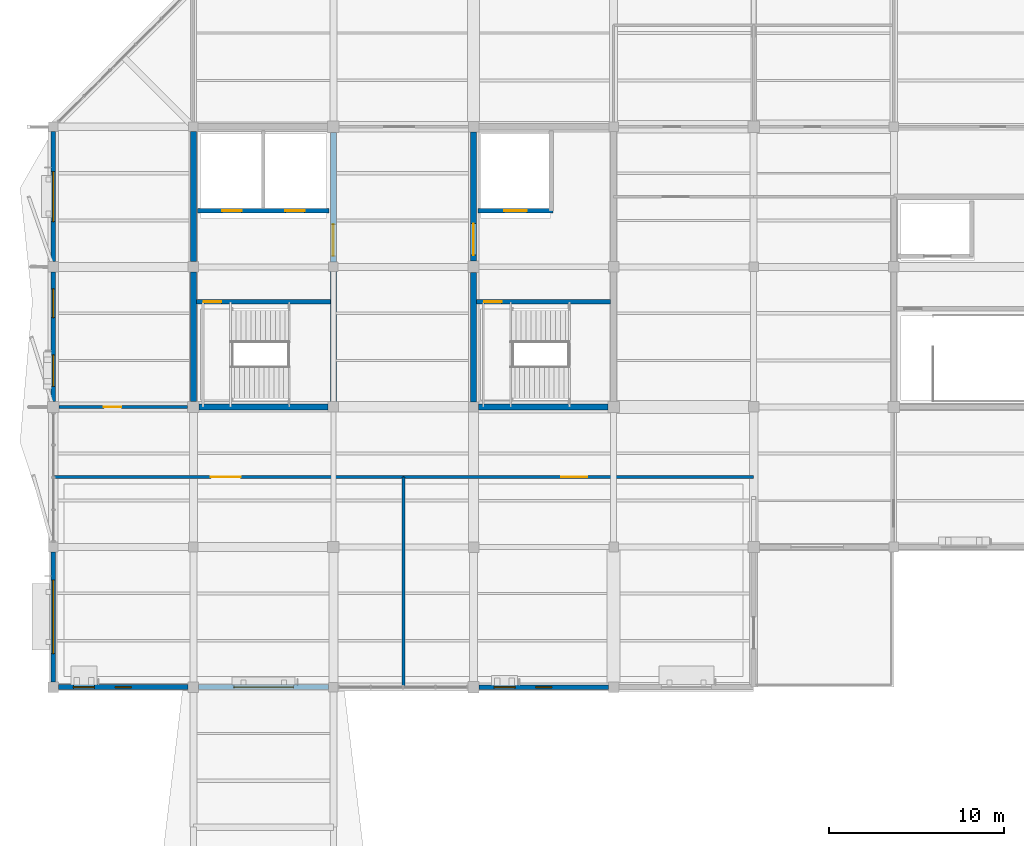
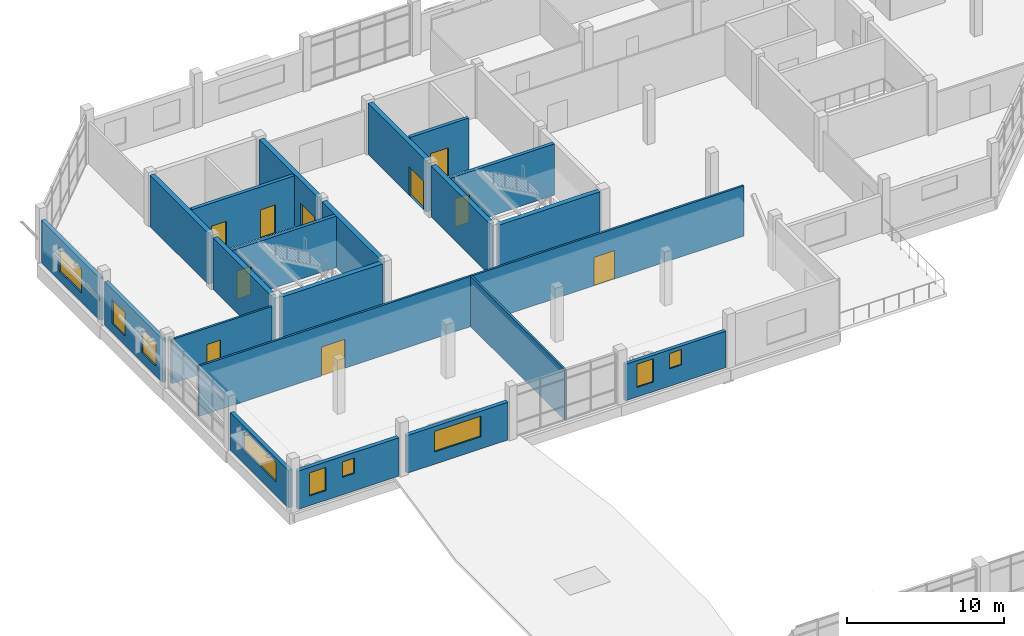
# One storey, part 64 of 72: 22 walls, 10 doors, 9 windows, 19 openings.
"""IFC4 building model written with IfcOpenShell, lengths in metres."""

from ifc_helpers import new_model, si_unit, direction, frame, frame_2d, origin, place, context, subcontext, project, spatial, rectangle, extrude, material, layer, layer_set, type_object, element, fill, save


model = new_model("IFC4")

# Units and contexts
model_context = context("Model", 3, precision=1e-05, world=origin(), true_north=direction((0.0, 1.0)))
body_context = subcontext(model_context, "Body", "Model", "MODEL_VIEW")
ifc_project = project(units=[si_unit("LENGTHUNIT", "METRE"), si_unit("AREAUNIT", "SQUARE_METRE"), si_unit("VOLUMEUNIT", "CUBIC_METRE"), si_unit("PLANEANGLEUNIT", "RADIAN"), si_unit("MASSUNIT", "GRAM", prefix="KILO")], contexts=[model_context])

# Site, building, storey
site_placement = place(None, origin())
site = spatial("IfcSite", under=ifc_project, at=site_placement, CompositionType="ELEMENT")
building_placement = place(site_placement, origin())
building = spatial("IfcBuilding", under=site, at=building_placement, Name="Tenunan Teduh Sports Hall", CompositionType="ELEMENT")
storey_placement = place(building_placement, frame((0.0, 0.0, 15.0)))
storey = spatial("IfcBuildingStorey", under=building, at=storey_placement, Name="L03", CompositionType="ELEMENT", Elevation=15.0)

# Wall, opening, door
ifc_material_1 = material(Name="Concrete C40/50", Category="concrete")
ifc_layer_1 = layer(ifc_material_1, 0.25)
ifc_layer_set_1 = layer_set([ifc_layer_1], Name="Concrete C40/50")
wall_type_1 = type_object("IfcWallType", Name="WL-COR-250", PredefinedType="SOLIDWALL", material=ifc_layer_set_1)
wall_1_placement = place(storey_placement, frame((14.175048828125, 100.0, 0.0), z_axis=(0.0, 0.0, 1.0), x_axis=(1.0, 0.0, 0.0)))
wall_1 = element("IfcWall", 1, at=wall_1_placement, inside=storey, type_object=wall_type_1, Name="WL-COR-L03-043", PredefinedType="SOLIDWALL", context=body_context, shape_type="SweptSolid", body=[
    extrude(rectangle(XDim=7.64990234375, YDim=0.25, at=frame_2d((3.824951171875, 0.0))), origin(), (0.0, 0.0, 1.0), 3.97998046875),
])
opening_1_placement = place(wall_1_placement, frame((0.425048828125, 0.0, 0.0)))
opening_1 = element("IfcOpeningElement", 2, at=opening_1_placement, cuts=wall_1, Name="Opening FD-01", PredefinedType="OPENING", context=body_context, shape_type="SweptSolid", body=[
    extrude(rectangle(XDim=1.0, YDim=2.199951171875, at=frame_2d((0.5, 1.10009765625))), frame((0.0, 0.135009765625, 0.0), z_axis=(0.0, -1.0, 0.0), x_axis=(1.0, 0.0, 0.0)), (0.0, 0.0, 1.0), 0.27001953125),
])
ifc_material_2 = material(Name="Fire-rated steel leaf and frame", Category="steel")
door_type_1 = type_object("IfcDoorType", Name="FDR-01", OperationType="SINGLE_SWING_LEFT", PredefinedType="DOOR", material=ifc_material_2)
door_1_placement = place(opening_1_placement, frame((1.0, 0.0, 0.0), z_axis=(0.0, 0.0, 1.0), x_axis=(-1.0, 0.0, 0.0)))
door_1 = element("IfcDoor", 3, at=door_1_placement, inside=storey, type_object=door_type_1, Name="DR-INT-L03-018", OperationType="SINGLE_SWING_LEFT", OverallHeight=2.199951171875, OverallWidth=1.0, PredefinedType="DOOR", context=body_context, shape_type="SweptSolid", body=[
    extrude(rectangle(XDim=1.0, YDim=2.199951171875, at=frame_2d((0.5, 1.10009765625))), frame((0.0, 0.02490234375, 0.0), z_axis=(0.0, -1.0, 0.0), x_axis=(1.0, 0.0, 0.0)), (0.0, 0.0, 1.0), 0.050048828125),
])
fill(opening_1, door_1)

# Wall, openings, doors
wall_2_placement = place(storey_placement, frame((14.25, 105.199951171875, 0.0), z_axis=(0.0, 0.0, 1.0), x_axis=(1.0, 0.0, 0.0)))
wall_2 = element("IfcWall", 4, at=wall_2_placement, inside=storey, type_object=wall_type_1, Name="WL-COR-L03-044", PredefinedType="SOLIDWALL", context=body_context, shape_type="SweptSolid", body=[
    extrude(rectangle(XDim=7.5, YDim=0.25, at=frame_2d((3.75, 0.0))), origin(), (0.0, 0.0, 1.0), 3.97998046875),
])
opening_2_placement = place(wall_2_placement, frame((1.39990234375, 0.0, 0.0)))
opening_2 = element("IfcOpeningElement", 5, at=opening_2_placement, cuts=wall_2, Name="Opening LD-1", PredefinedType="OPENING", context=body_context, shape_type="SweptSolid", body=[
    extrude(rectangle(XDim=1.10009765625, YDim=2.199951171875, at=frame_2d((0.550048828125, 1.10009765625))), frame((0.0, 0.135009765625, 0.0), z_axis=(0.0, -1.0, 0.0), x_axis=(1.0, 0.0, 0.0)), (0.0, 0.0, 1.0), 0.27001953125),
])
opening_3_placement = place(wall_2_placement, frame((5.0, 0.0, 0.0)))
opening_3 = element("IfcOpeningElement", 6, at=opening_3_placement, cuts=wall_2, Name="Opening LD-1", PredefinedType="OPENING", context=body_context, shape_type="SweptSolid", body=[
    extrude(rectangle(XDim=1.10009765625, YDim=2.199951171875, at=frame_2d((0.550048828125, 1.10009765625))), frame((0.0, 0.135009765625, 0.0), z_axis=(0.0, -1.0, 0.0), x_axis=(1.0, 0.0, 0.0)), (0.0, 0.0, 1.0), 0.27001953125),
])
ifc_material_3 = material(Name="Brushed stainless steel landing doors", Category="steel")
door_type_2 = type_object("IfcDoorType", Name="LDR-01", OperationType="DOUBLE_DOOR_SLIDING", PredefinedType="DOOR", material=ifc_material_3)
door_2_placement = place(opening_2_placement, origin())
door_2 = element("IfcDoor", 7, at=door_2_placement, inside=storey, type_object=door_type_2, Name="Lift Landing Door LD-09", OperationType="DOUBLE_DOOR_SLIDING", OverallHeight=2.199951171875, OverallWidth=1.10009765625, PredefinedType="DOOR", context=body_context, shape_type="SweptSolid", body=[
    extrude(rectangle(XDim=1.10009765625, YDim=2.199951171875, at=frame_2d((0.550048828125, 1.10009765625))), frame((0.0, 0.02490234375, 0.0), z_axis=(0.0, -1.0, 0.0), x_axis=(1.0, 0.0, 0.0)), (0.0, 0.0, 1.0), 0.050048828125),
])
fill(opening_2, door_2)
door_3_placement = place(opening_3_placement, origin())
door_3 = element("IfcDoor", 8, at=door_3_placement, inside=storey, type_object=door_type_2, Name="Lift Landing Door LD-10", OperationType="DOUBLE_DOOR_SLIDING", OverallHeight=2.199951171875, OverallWidth=1.10009765625, PredefinedType="DOOR", context=body_context, shape_type="SweptSolid", body=[
    extrude(rectangle(XDim=1.10009765625, YDim=2.199951171875, at=frame_2d((0.550048828125, 1.10009765625))), frame((0.0, 0.02490234375, 0.0), z_axis=(0.0, -1.0, 0.0), x_axis=(1.0, 0.0, 0.0)), (0.0, 0.0, 1.0), 0.050048828125),
])
fill(opening_3, door_3)

# Wall, opening, door
wall_3_placement = place(storey_placement, frame((30.175048828125, 100.0, 0.0), z_axis=(0.0, 0.0, 1.0), x_axis=(1.0, 0.0, 0.0)))
wall_3 = element("IfcWall", 9, at=wall_3_placement, inside=storey, type_object=wall_type_1, Name="WL-COR-L03-097", PredefinedType="SOLIDWALL", context=body_context, shape_type="SweptSolid", body=[
    extrude(rectangle(XDim=7.64990234375, YDim=0.25, at=frame_2d((3.824951171875, 0.0))), origin(), (0.0, 0.0, 1.0), 3.97998046875),
])
opening_4_placement = place(wall_3_placement, frame((0.425048828125, 0.0, 0.0)))
opening_4 = element("IfcOpeningElement", 10, at=opening_4_placement, cuts=wall_3, Name="Opening FD-01", PredefinedType="OPENING", context=body_context, shape_type="SweptSolid", body=[
    extrude(rectangle(XDim=1.0, YDim=2.199951171875, at=frame_2d((0.5, 1.10009765625))), frame((0.0, 0.135009765625, 0.0), z_axis=(0.0, -1.0, 0.0), x_axis=(1.0, 0.0, 0.0)), (0.0, 0.0, 1.0), 0.27001953125),
])
door_4_placement = place(opening_4_placement, frame((1.0, 0.0, 0.0), z_axis=(0.0, 0.0, 1.0), x_axis=(-1.0, 0.0, 0.0)))
door_4 = element("IfcDoor", 11, at=door_4_placement, inside=storey, type_object=door_type_1, Name="DR-INT-L03-038", OperationType="SINGLE_SWING_LEFT", OverallHeight=2.199951171875, OverallWidth=1.0, PredefinedType="DOOR", context=body_context, shape_type="SweptSolid", body=[
    extrude(rectangle(XDim=1.0, YDim=2.199951171875, at=frame_2d((0.5, 1.10009765625))), frame((0.0, 0.02490234375, 0.0), z_axis=(0.0, -1.0, 0.0), x_axis=(1.0, 0.0, 0.0)), (0.0, 0.0, 1.0), 0.050048828125),
])
fill(opening_4, door_4)

wall_4_placement = place(storey_placement, frame((30.25, 105.199951171875, 0.0), z_axis=(0.0, 0.0, 1.0), x_axis=(1.0, 0.0, 0.0)))
wall_4 = element("IfcWall", 12, at=wall_4_placement, inside=storey, type_object=wall_type_1, Name="WL-COR-L03-098", PredefinedType="SOLIDWALL", context=body_context, shape_type="SweptSolid", body=[
    extrude(rectangle(XDim=4.300048828125, YDim=0.25, at=frame_2d((2.14990234375, 0.0))), origin(), (0.0, 0.0, 1.0), 3.97998046875),
])
opening_5_placement = place(wall_4_placement, frame((1.5, 0.0, 0.0)))
opening_5 = element("IfcOpeningElement", 13, at=opening_5_placement, cuts=wall_4, Name="Opening LD-2", PredefinedType="OPENING", context=body_context, shape_type="SweptSolid", body=[
    extrude(rectangle(XDim=1.300048828125, YDim=2.199951171875, at=frame_2d((0.64990234375, 1.10009765625))), frame((0.0, 0.135009765625, 0.0), z_axis=(0.0, -1.0, 0.0), x_axis=(1.0, 0.0, 0.0)), (0.0, 0.0, 1.0), 0.27001953125),
])
ifc_material_4 = material(Name="Fire-fighting lift stainless landing doors")
door_type_3 = type_object("IfcDoorType", Name="LDR-02", OperationType="DOUBLE_DOOR_SLIDING", PredefinedType="DOOR", material=ifc_material_4)
door_5_placement = place(opening_5_placement, origin())
door_5 = element("IfcDoor", 14, at=door_5_placement, inside=storey, type_object=door_type_3, Name="Lift Landing Door LD-17", OperationType="DOUBLE_DOOR_SLIDING", OverallHeight=2.199951171875, OverallWidth=1.300048828125, PredefinedType="DOOR", context=body_context, shape_type="SweptSolid", body=[
    extrude(rectangle(XDim=1.300048828125, YDim=2.199951171875, at=frame_2d((0.64990234375, 1.10009765625))), frame((0.0, 0.02490234375, 0.0), z_axis=(0.0, -1.0, 0.0), x_axis=(1.0, 0.0, 0.0)), (0.0, 0.0, 1.0), 0.050048828125),
])
fill(opening_5, door_5)

# Wall, openings, windows
ifc_material_5 = material(Name="Precast concrete C40/50", Category="concrete")
ifc_layer_2 = layer(ifc_material_5, 0.25)
ifc_layer_set_2 = layer_set([ifc_layer_2], Name="Precast concrete C40/50")
wall_type_2 = type_object("IfcWallType", Name="WL-EXT-250", PredefinedType="SOLIDWALL", material=ifc_layer_set_2)
wall_5_placement = place(storey_placement, frame((30.324951171875, 78.0, 0.0), z_axis=(0.0, 0.0, 1.0), x_axis=(1.0, 0.0, 0.0)))
wall_5 = element("IfcWall", 15, at=wall_5_placement, inside=storey, type_object=wall_type_2, Name="WL-EXT-L03-196", PredefinedType="SOLIDWALL", context=body_context, shape_type="SweptSolid", body=[
    extrude(rectangle(XDim=7.375, YDim=0.25, at=frame_2d((3.6875, 0.0))), origin(), (0.0, 0.0, 1.0), 2.830078125),
])
opening_6_placement = place(wall_5_placement, frame((0.85009765625, 0.0, 0.75)))
opening_6 = element("IfcOpeningElement", 16, at=opening_6_placement, cuts=wall_5, Name="Opening W-01", PredefinedType="OPENING", context=body_context, shape_type="SweptSolid", body=[
    extrude(rectangle(XDim=1.199951171875, YDim=1.800048828125, at=frame_2d((0.60009765625, 0.89990234375))), frame((0.0, 0.135009765625, 0.0), z_axis=(0.0, -1.0, 0.0), x_axis=(1.0, 0.0, 0.0)), (0.0, 0.0, 1.0), 0.27001953125),
])
opening_7_placement = place(wall_5_placement, frame((3.239990234375, 0.0, 1.35009765625)))
opening_7 = element("IfcOpeningElement", 17, at=opening_7_placement, cuts=wall_5, Name="Opening W-08", PredefinedType="OPENING", context=body_context, shape_type="SweptSolid", body=[
    extrude(rectangle(XDim=0.89990234375, YDim=1.199951171875, at=frame_2d((0.449951171875, 0.60009765625))), frame((0.0, 0.135009765625, 0.0), z_axis=(0.0, -1.0, 0.0), x_axis=(1.0, 0.0, 0.0)), (0.0, 0.0, 1.0), 0.27001953125),
])
ifc_material_6 = material(Name="Thermally broken aluminium and Low-E glazing", Category="aluminium")
window_type_1 = type_object("IfcWindowType", Name="WIN-01", PartitioningType="SINGLE_PANEL", PredefinedType="WINDOW", material=ifc_material_6)
window_1_placement = place(opening_6_placement, origin())
window_1 = element("IfcWindow", 18, at=window_1_placement, inside=storey, type_object=window_type_1, Name="WIN-L03-093", OverallHeight=1.800048828125, OverallWidth=1.199951171875, PartitioningType="SINGLE_PANEL", PredefinedType="WINDOW", context=body_context, shape_type="SweptSolid", body=[
    extrude(rectangle(XDim=1.199951171875, YDim=1.800048828125, at=frame_2d((0.60009765625, 0.89990234375))), frame((0.0, 0.030029296875, 0.0), z_axis=(0.0, -1.0, 0.0), x_axis=(1.0, 0.0, 0.0)), (0.0, 0.0, 1.0), 0.06005859375),
])
fill(opening_6, window_1)
ifc_material_7 = material(Name="Thermally broken aluminium and Low-E glazing", Category="aluminium")
window_type_2 = type_object("IfcWindowType", Name="WIN-08", PartitioningType="SINGLE_PANEL", PredefinedType="WINDOW", material=ifc_material_7)
window_2_placement = place(opening_7_placement, origin())
window_2 = element("IfcWindow", 19, at=window_2_placement, inside=storey, type_object=window_type_2, Name="WIN-L03-094", OverallHeight=1.199951171875, OverallWidth=0.89990234375, PartitioningType="SINGLE_PANEL", PredefinedType="WINDOW", context=body_context, shape_type="SweptSolid", body=[
    extrude(rectangle(XDim=0.89990234375, YDim=1.199951171875, at=frame_2d((0.449951171875, 0.60009765625))), frame((0.0, 0.030029296875, 0.0), z_axis=(0.0, -1.0, 0.0), x_axis=(1.0, 0.0, 0.0)), (0.0, 0.0, 1.0), 0.06005859375),
])
fill(opening_7, window_2)

wall_6_placement = place(storey_placement, frame((6.0, 94.324951171875, 0.0), z_axis=(0.0, 0.0, 1.0), x_axis=(0.0, 1.0, 0.0)))
wall_6 = element("IfcWall", 20, at=wall_6_placement, inside=storey, type_object=wall_type_2, Name="WL-EXT-L03-206", PredefinedType="SOLIDWALL", context=body_context, shape_type="SweptSolid", body=[
    extrude(rectangle(XDim=7.375, YDim=0.25, at=frame_2d((3.6875, 0.0))), origin(), (0.0, 0.0, 1.0), 3.3798828125),
])
opening_8_placement = place(wall_6_placement, frame((0.85009765625, 0.0, 0.75)))
opening_8 = element("IfcOpeningElement", 21, at=opening_8_placement, cuts=wall_6, Name="Opening W-02", PredefinedType="OPENING", context=body_context, shape_type="SweptSolid", body=[
    extrude(rectangle(XDim=1.800048828125, YDim=1.800048828125, at=frame_2d((0.89990234375, 0.89990234375))), frame((0.0, 0.135009765625, 0.0), z_axis=(0.0, -1.0, 0.0), x_axis=(1.0, 0.0, 0.0)), (0.0, 0.0, 1.0), 0.27001953125),
])
opening_9_placement = place(wall_6_placement, frame((4.77001953125, 0.0, 0.699951171875)))
opening_9 = element("IfcOpeningElement", 22, at=opening_9_placement, cuts=wall_6, Name="Opening W-19", PredefinedType="OPENING", context=body_context, shape_type="SweptSolid", body=[
    extrude(rectangle(XDim=1.64990234375, YDim=1.85009765625, at=frame_2d((0.824951171875, 0.925048828125))), frame((0.0, 0.135009765625, 0.0), z_axis=(0.0, -1.0, 0.0), x_axis=(1.0, 0.0, 0.0)), (0.0, 0.0, 1.0), 0.27001953125),
])
ifc_material_8 = material(Name="Thermally broken aluminium and Low-E glazing", Category="aluminium")
window_type_3 = type_object("IfcWindowType", Name="WIN-02", PartitioningType="DOUBLE_PANEL_VERTICAL", PredefinedType="WINDOW", material=ifc_material_8)
window_3_placement = place(opening_8_placement, origin())
window_3 = element("IfcWindow", 23, at=window_3_placement, inside=storey, type_object=window_type_3, Name="WIN-L03-105", OverallHeight=1.800048828125, OverallWidth=1.800048828125, PartitioningType="SINGLE_PANEL", PredefinedType="WINDOW", context=body_context, shape_type="SweptSolid", body=[
    extrude(rectangle(XDim=1.800048828125, YDim=1.800048828125, at=frame_2d((0.89990234375, 0.89990234375))), frame((0.0, 0.030029296875, 0.0), z_axis=(0.0, -1.0, 0.0), x_axis=(1.0, 0.0, 0.0)), (0.0, 0.0, 1.0), 0.06005859375),
])
fill(opening_8, window_3)
ifc_material_9 = material(Name="Thermally broken aluminium and Low-E glazing", Category="aluminium")
window_type_4 = type_object("IfcWindowType", Name="WIN-19", PartitioningType="DOUBLE_PANEL_VERTICAL", PredefinedType="WINDOW", material=ifc_material_9)
window_4_placement = place(opening_9_placement, origin())
window_4 = element("IfcWindow", 24, at=window_4_placement, inside=storey, type_object=window_type_4, Name="WIN-L03-106", OverallHeight=1.85009765625, OverallWidth=1.64990234375, PartitioningType="SINGLE_PANEL", PredefinedType="WINDOW", context=body_context, shape_type="SweptSolid", body=[
    extrude(rectangle(XDim=1.64990234375, YDim=1.85009765625, at=frame_2d((0.824951171875, 0.925048828125))), frame((0.0, 0.030029296875, 0.0), z_axis=(0.0, -1.0, 0.0), x_axis=(1.0, 0.0, 0.0)), (0.0, 0.0, 1.0), 0.06005859375),
])
fill(opening_9, window_4)

# Wall, opening, window
ifc_material_10 = material(Name="Concrete C40/50", Category="concrete")
ifc_layer_3 = layer(ifc_material_10, 0.280029296875)
ifc_layer_set_3 = layer_set([ifc_layer_3], Name="Concrete C40/50")
wall_type_3 = type_object("IfcWallType", Name="WL-EXT-280", PredefinedType="SOLIDWALL", material=ifc_layer_set_3)
wall_7_placement = place(storey_placement, frame((14.300048828125, 78.0, 0.0), z_axis=(0.0, 0.0, 1.0), x_axis=(1.0, 0.0, 0.0)))
wall_7 = element("IfcWall", 25, at=wall_7_placement, inside=storey, type_object=wall_type_3, Name="WL-EXT-L03-195", PredefinedType="SOLIDWALL", context=body_context, shape_type="SweptSolid", body=[
    extrude(rectangle(XDim=7.425048828125, YDim=0.280029296875, at=frame_2d((3.71240234375, 0.0))), origin(), (0.0, 0.0, 1.0), 2.929931640625),
])
opening_10_placement = place(wall_7_placement, frame((2.010009765625, 0.0, 0.949951171875)))
opening_10 = element("IfcOpeningElement", 26, at=opening_10_placement, cuts=wall_7, Name="Opening W-15", PredefinedType="OPENING", context=body_context, shape_type="SweptSolid", body=[
    extrude(rectangle(XDim=3.39990234375, YDim=1.60009765625, at=frame_2d((1.699951171875, 0.800048828125))), frame((0.0, 0.14990234375, 0.0), z_axis=(0.0, -1.0, 0.0), x_axis=(1.0, 0.0, 0.0)), (0.0, 0.0, 1.0), 0.300048828125),
])
ifc_material_11 = material(Name="Thermally broken aluminium and Low-E glazing", Category="aluminium")
window_type_5 = type_object("IfcWindowType", Name="WIN-15", PartitioningType="TRIPLE_PANEL_VERTICAL", PredefinedType="WINDOW", material=ifc_material_11)
window_5_placement = place(opening_10_placement, origin())
window_5 = element("IfcWindow", 27, at=window_5_placement, inside=storey, type_object=window_type_5, Name="WIN-L03-092", OverallHeight=1.60009765625, OverallWidth=3.39990234375, PartitioningType="SINGLE_PANEL", PredefinedType="WINDOW", context=body_context, shape_type="SweptSolid", body=[
    extrude(rectangle(XDim=3.39990234375, YDim=1.60009765625, at=frame_2d((1.699951171875, 0.800048828125))), frame((0.0, 0.030029296875, 0.0), z_axis=(0.0, -1.0, 0.0), x_axis=(1.0, 0.0, 0.0)), (0.0, 0.0, 1.0), 0.06005859375),
])
fill(opening_10, window_5)

wall_8_placement = place(storey_placement, frame((6.0, 78.300048828125, 0.0), z_axis=(0.0, 0.0, 1.0), x_axis=(0.0, 1.0, 0.0)))
wall_8 = element("IfcWall", 28, at=wall_8_placement, inside=storey, type_object=wall_type_3, Name="WL-EXT-L03-205", PredefinedType="SOLIDWALL", context=body_context, shape_type="SweptSolid", body=[
    extrude(rectangle(XDim=7.425048828125, YDim=0.280029296875, at=frame_2d((3.71240234375, 0.0))), origin(), (0.0, 0.0, 1.0), 2.909912109375),
])
opening_11_placement = place(wall_8_placement, frame((1.610107421875, 0.0, 1.050048828125)))
opening_11 = element("IfcOpeningElement", 29, at=opening_11_placement, cuts=wall_8, Name="Opening W-06", PredefinedType="OPENING", context=body_context, shape_type="SweptSolid", body=[
    extrude(rectangle(XDim=4.199951171875, YDim=1.5, at=frame_2d((2.10009765625, 0.75))), frame((0.0, 0.14990234375, 0.0), z_axis=(0.0, -1.0, 0.0), x_axis=(1.0, 0.0, 0.0)), (0.0, 0.0, 1.0), 0.300048828125),
])
ifc_material_12 = material(Name="Thermally broken aluminium and Low-E glazing", Category="aluminium")
window_type_6 = type_object("IfcWindowType", Name="WIN-06", PartitioningType="TRIPLE_PANEL_HORIZONTAL", PredefinedType="WINDOW", material=ifc_material_12)
window_6_placement = place(opening_11_placement, origin())
window_6 = element("IfcWindow", 30, at=window_6_placement, inside=storey, type_object=window_type_6, Name="WIN-L03-104", OverallHeight=1.5, OverallWidth=4.199951171875, PartitioningType="SINGLE_PANEL", PredefinedType="WINDOW", context=body_context, shape_type="SweptSolid", body=[
    extrude(rectangle(XDim=4.199951171875, YDim=1.5, at=frame_2d((2.10009765625, 0.75))), frame((0.0, 0.030029296875, 0.0), z_axis=(0.0, -1.0, 0.0), x_axis=(1.0, 0.0, 0.0)), (0.0, 0.0, 1.0), 0.06005859375),
])
fill(opening_11, window_6)

wall_9_placement = place(storey_placement, frame((6.0, 102.300048828125, 0.0), z_axis=(0.0, 0.0, 1.0), x_axis=(0.0, 1.0, 0.0)))
wall_9 = element("IfcWall", 31, at=wall_9_placement, inside=storey, type_object=wall_type_3, Name="WL-EXT-L03-207", PredefinedType="SOLIDWALL", context=body_context, shape_type="SweptSolid", body=[
    extrude(rectangle(XDim=7.425048828125, YDim=0.280029296875, at=frame_2d((3.71240234375, 0.0))), origin(), (0.0, 0.0, 1.0), 3.280029296875),
])
opening_12_placement = place(wall_9_placement, frame((2.2900390625, 0.0, 0.699951171875)))
opening_12 = element("IfcOpeningElement", 32, at=opening_12_placement, cuts=wall_9, Name="Opening W-23", PredefinedType="OPENING", context=body_context, shape_type="SweptSolid", body=[
    extrude(rectangle(XDim=2.85009765625, YDim=1.85009765625, at=frame_2d((1.425048828125, 0.925048828125))), frame((0.0, 0.14990234375, 0.0), z_axis=(0.0, -1.0, 0.0), x_axis=(1.0, 0.0, 0.0)), (0.0, 0.0, 1.0), 0.300048828125),
])
ifc_material_13 = material(Name="Thermally broken aluminium and Low-E glazing", Category="aluminium")
window_type_7 = type_object("IfcWindowType", Name="WIN-23", PartitioningType="TRIPLE_PANEL_VERTICAL", PredefinedType="WINDOW", material=ifc_material_13)
window_7_placement = place(opening_12_placement, origin())
window_7 = element("IfcWindow", 33, at=window_7_placement, inside=storey, type_object=window_type_7, Name="WIN-L03-107", OverallHeight=1.85009765625, OverallWidth=2.85009765625, PartitioningType="SINGLE_PANEL", PredefinedType="WINDOW", context=body_context, shape_type="SweptSolid", body=[
    extrude(rectangle(XDim=2.85009765625, YDim=1.85009765625, at=frame_2d((1.425048828125, 0.925048828125))), frame((0.0, 0.030029296875, 0.0), z_axis=(0.0, -1.0, 0.0), x_axis=(1.0, 0.0, 0.0)), (0.0, 0.0, 1.0), 0.06005859375),
])
fill(opening_12, window_7)

# Wall, openings, windows
ifc_material_14 = material(Name="Concrete C40/50", Category="concrete")
ifc_layer_4 = layer(ifc_material_14, 0.2900390625)
ifc_layer_set_4 = layer_set([ifc_layer_4], Name="Concrete C40/50")
wall_type_4 = type_object("IfcWallType", Name="WL-EXT-290", PredefinedType="SOLIDWALL", material=ifc_layer_set_4)
wall_10_placement = place(storey_placement, frame((6.300048828125, 78.0, 0.0), z_axis=(0.0, 0.0, 1.0), x_axis=(1.0, 0.0, 0.0)))
wall_10 = element("IfcWall", 34, at=wall_10_placement, inside=storey, type_object=wall_type_4, Name="WL-EXT-L03-194", PredefinedType="SOLIDWALL", context=body_context, shape_type="SweptSolid", body=[
    extrude(rectangle(XDim=7.39990234375, YDim=0.2900390625, at=frame_2d((3.699951171875, 0.0))), origin(), (0.0, 0.0, 1.0), 2.97998046875),
])
opening_13_placement = place(wall_10_placement, frame((0.85009765625, 0.0, 0.75)))
opening_13 = element("IfcOpeningElement", 35, at=opening_13_placement, cuts=wall_10, Name="Opening W-01", PredefinedType="OPENING", context=body_context, shape_type="SweptSolid", body=[
    extrude(rectangle(XDim=1.199951171875, YDim=1.800048828125, at=frame_2d((0.60009765625, 0.89990234375))), frame((0.0, 0.155029296875, 0.0), z_axis=(0.0, -1.0, 0.0), x_axis=(1.0, 0.0, 0.0)), (0.0, 0.0, 1.0), 0.31005859375),
])
opening_14_placement = place(wall_10_placement, frame((3.25, 0.0, 1.35009765625)))
opening_14 = element("IfcOpeningElement", 36, at=opening_14_placement, cuts=wall_10, Name="Opening W-08", PredefinedType="OPENING", context=body_context, shape_type="SweptSolid", body=[
    extrude(rectangle(XDim=0.89990234375, YDim=1.199951171875, at=frame_2d((0.449951171875, 0.60009765625))), frame((0.0, 0.155029296875, 0.0), z_axis=(0.0, -1.0, 0.0), x_axis=(1.0, 0.0, 0.0)), (0.0, 0.0, 1.0), 0.31005859375),
])
window_8_placement = place(opening_13_placement, origin())
window_8 = element("IfcWindow", 37, at=window_8_placement, inside=storey, type_object=window_type_1, Name="WIN-L03-090", OverallHeight=1.800048828125, OverallWidth=1.199951171875, PartitioningType="SINGLE_PANEL", PredefinedType="WINDOW", context=body_context, shape_type="SweptSolid", body=[
    extrude(rectangle(XDim=1.199951171875, YDim=1.800048828125, at=frame_2d((0.60009765625, 0.89990234375))), frame((0.0, 0.030029296875, 0.0), z_axis=(0.0, -1.0, 0.0), x_axis=(1.0, 0.0, 0.0)), (0.0, 0.0, 1.0), 0.06005859375),
])
fill(opening_13, window_8)
window_9_placement = place(opening_14_placement, origin())
window_9 = element("IfcWindow", 38, at=window_9_placement, inside=storey, type_object=window_type_2, Name="WIN-L03-091", OverallHeight=1.199951171875, OverallWidth=0.89990234375, PartitioningType="SINGLE_PANEL", PredefinedType="WINDOW", context=body_context, shape_type="SweptSolid", body=[
    extrude(rectangle(XDim=0.89990234375, YDim=1.199951171875, at=frame_2d((0.449951171875, 0.60009765625))), frame((0.0, 0.030029296875, 0.0), z_axis=(0.0, -1.0, 0.0), x_axis=(1.0, 0.0, 0.0)), (0.0, 0.0, 1.0), 0.06005859375),
])
fill(opening_14, window_9)

# Wall, opening, door
ifc_material_15 = material(Name="Acoustic stud and double plasterboard")
ifc_layer_5 = layer(ifc_material_15, 0.14990234375)
ifc_layer_set_5 = layer_set([ifc_layer_5], Name="Acoustic stud and double plasterboard")
wall_type_5 = type_object("IfcWallType", Name="WL-PRT-150", PredefinedType="PARTITIONING", material=ifc_layer_set_5)
wall_11_placement = place(storey_placement, frame((6.0, 90.0, 0.0), z_axis=(0.0, 0.0, 1.0), x_axis=(1.0, 0.0, 0.0)))
wall_11 = element("IfcWall", 39, at=wall_11_placement, inside=storey, type_object=wall_type_5, Name="WL-PRT-L03-443", PredefinedType="PARTITIONING", context=body_context, shape_type="SweptSolid", body=[
    extrude(rectangle(XDim=20.0, YDim=0.14990234375, at=frame_2d((10.0, 0.0))), origin(), (0.0, 0.0, 1.0), 3.89990234375),
])
opening_15_placement = place(wall_11_placement, frame((9.0, 0.0, 0.0)))
opening_15 = element("IfcOpeningElement", 40, at=opening_15_placement, cuts=wall_11, Name="Opening ID-05", PredefinedType="OPENING", context=body_context, shape_type="SweptSolid", body=[
    extrude(rectangle(XDim=1.699951171875, YDim=2.25, at=frame_2d((0.85009765625, 1.125))), frame((0.0, 0.0849609375, 0.0), z_axis=(0.0, -1.0, 0.0), x_axis=(1.0, 0.0, 0.0)), (0.0, 0.0, 1.0), 0.169921875),
])
ifc_material_16 = material(Name="Glazed concourse pair")
door_type_4 = type_object("IfcDoorType", Name="IDR-05", OperationType="DOUBLE_DOOR_SINGLE_SWING", PredefinedType="DOOR", material=ifc_material_16)
door_6_placement = place(opening_15_placement, frame((1.699951171875, 0.0, 0.0), z_axis=(0.0, 0.0, 1.0), x_axis=(-1.0, 0.0, 0.0)))
door_6 = element("IfcDoor", 41, at=door_6_placement, inside=storey, type_object=door_type_4, Name="DR-INT-L03-170", OperationType="DOUBLE_DOOR_SINGLE_SWING", OverallHeight=2.25, OverallWidth=1.699951171875, PredefinedType="DOOR", context=body_context, shape_type="SweptSolid", body=[
    extrude(rectangle(XDim=1.699951171875, YDim=2.25, at=frame_2d((0.85009765625, 1.125))), frame((0.0, 0.02490234375, 0.0), z_axis=(0.0, -1.0, 0.0), x_axis=(1.0, 0.0, 0.0)), (0.0, 0.0, 1.0), 0.050048828125),
])
fill(opening_15, door_6)

wall_12_placement = place(storey_placement, frame((26.0, 90.0, 0.0), z_axis=(0.0, 0.0, 1.0), x_axis=(1.0, 0.0, 0.0)))
wall_12 = element("IfcWall", 42, at=wall_12_placement, inside=storey, type_object=wall_type_5, Name="WL-PRT-L03-444", PredefinedType="PARTITIONING", context=body_context, shape_type="SweptSolid", body=[
    extrude(rectangle(XDim=20.0, YDim=0.14990234375, at=frame_2d((10.0, 0.0))), origin(), (0.0, 0.0, 1.0), 3.89990234375),
])
opening_16_placement = place(wall_12_placement, frame((9.0, 0.0, 0.0)))
opening_16 = element("IfcOpeningElement", 43, at=opening_16_placement, cuts=wall_12, Name="Opening ID-04", PredefinedType="OPENING", context=body_context, shape_type="SweptSolid", body=[
    extrude(rectangle(XDim=1.5, YDim=2.199951171875, at=frame_2d((0.75, 1.10009765625))), frame((0.0, 0.0849609375, 0.0), z_axis=(0.0, -1.0, 0.0), x_axis=(1.0, 0.0, 0.0)), (0.0, 0.0, 1.0), 0.169921875),
])
ifc_material_17 = material(Name="Acoustic studio timber pair", Category="wood")
door_type_5 = type_object("IfcDoorType", Name="IDR-04", OperationType="DOUBLE_DOOR_SINGLE_SWING", PredefinedType="DOOR", material=ifc_material_17)
door_7_placement = place(opening_16_placement, frame((1.5, 0.0, 0.0), z_axis=(0.0, 0.0, 1.0), x_axis=(-1.0, 0.0, 0.0)))
door_7 = element("IfcDoor", 44, at=door_7_placement, inside=storey, type_object=door_type_5, Name="DR-INT-L03-171", OperationType="DOUBLE_DOOR_SINGLE_SWING", OverallHeight=2.199951171875, OverallWidth=1.5, PredefinedType="DOOR", context=body_context, shape_type="SweptSolid", body=[
    extrude(rectangle(XDim=1.5, YDim=2.199951171875, at=frame_2d((0.75, 1.10009765625))), frame((0.0, 0.02490234375, 0.0), z_axis=(0.0, -1.0, 0.0), x_axis=(1.0, 0.0, 0.0)), (0.0, 0.0, 1.0), 0.050048828125),
])
fill(opening_16, door_7)

# Wall
wall_13_placement = place(storey_placement, frame((26.0, 78.0, 0.0), z_axis=(0.0, 0.0, 1.0), x_axis=(0.0, 1.0, 0.0)))
element("IfcWall", 45, at=wall_13_placement, inside=storey, type_object=wall_type_5, Name="WL-PRT-L03-445", PredefinedType="PARTITIONING", context=body_context, shape_type="SweptSolid", body=[
    extrude(rectangle(XDim=12.0, YDim=0.14990234375, at=frame_2d((6.0, 0.0))), origin(), (0.0, 0.0, 1.0), 3.89990234375),
])

# Wall, opening, door
wall_14_placement = place(storey_placement, frame((6.324951171875, 94.0, 0.0), z_axis=(0.0, 0.0, 1.0), x_axis=(1.0, 0.0, 0.0)))
wall_14 = element("IfcWall", 46, at=wall_14_placement, inside=storey, type_object=wall_type_5, Name="WL-PRT-L03-446", PredefinedType="PARTITIONING", context=body_context, shape_type="SweptSolid", body=[
    extrude(rectangle(XDim=7.35009765625, YDim=0.14990234375, at=frame_2d((3.675048828125, 0.0))), origin(), (0.0, 0.0, 1.0), 3.429931640625),
])
opening_17_placement = place(wall_14_placement, frame((2.570068359375, 0.0, 0.0)))
opening_17 = element("IfcOpeningElement", 47, at=opening_17_placement, cuts=wall_14, Name="Opening ID-03", PredefinedType="OPENING", context=body_context, shape_type="SweptSolid", body=[
    extrude(rectangle(XDim=1.0, YDim=2.14990234375, at=frame_2d((0.5, 1.074951171875))), frame((0.0, 0.0849609375, 0.0), z_axis=(0.0, -1.0, 0.0), x_axis=(1.0, 0.0, 0.0)), (0.0, 0.0, 1.0), 0.169921875),
])
ifc_material_18 = material(Name="Accessible wide HPL leaf")
door_type_6 = type_object("IfcDoorType", Name="IDR-03", OperationType="SINGLE_SWING_LEFT", PredefinedType="DOOR", material=ifc_material_18)
door_8_placement = place(opening_17_placement, frame((1.0, 0.0, 0.0), z_axis=(0.0, 0.0, 1.0), x_axis=(-1.0, 0.0, 0.0)))
door_8 = element("IfcDoor", 48, at=door_8_placement, inside=storey, type_object=door_type_6, Name="DR-INT-L03-172", OperationType="SINGLE_SWING_LEFT", OverallHeight=2.14990234375, OverallWidth=1.0, PredefinedType="DOOR", context=body_context, shape_type="SweptSolid", body=[
    extrude(rectangle(XDim=1.0, YDim=2.14990234375, at=frame_2d((0.5, 1.074951171875))), frame((0.0, 0.02490234375, 0.0), z_axis=(0.0, -1.0, 0.0), x_axis=(1.0, 0.0, 0.0)), (0.0, 0.0, 1.0), 0.050048828125),
])
fill(opening_17, door_8)

# Walls
ifc_material_19 = material(Name="Concrete C40/50", Category="concrete")
ifc_layer_6 = layer(ifc_material_19, 0.35009765625)
ifc_layer_set_6 = layer_set([ifc_layer_6], Name="Concrete C40/50")
wall_type_6 = type_object("IfcWallType", Name="WL-SHR-350", PredefinedType="SHEAR", material=ifc_layer_set_6)
for number, where, z_axis, x_axis, name in (
    (49, (14.324951171875, 94.0, 0.0), (0.0, 0.0, 1.0), (1.0, 0.0, 0.0), "WL-COR-L03-037"),
    (50, (14.0, 94.324951171875, 0.0), (0.0, 0.0, 1.0), (0.0, 1.0, 0.0), "WL-COR-L03-039"),
):
    element("IfcWall", number, at=place(storey_placement, frame(where, z_axis=z_axis, x_axis=x_axis)), inside=storey, type_object=wall_type_6, Name=name, PredefinedType="SHEAR", context=body_context, shape_type="SweptSolid", body=[
        extrude(rectangle(XDim=7.375, YDim=0.35009765625, at=frame_2d((3.6875, 0.0))), origin(), (0.0, 0.0, 1.0), 3.97998046875),
    ])
for number, where, z_axis, x_axis, name in (
    (51, (14.0, 102.300048828125, 0.0), (0.0, 0.0, 1.0), (0.0, 1.0, 0.0), "WL-COR-L03-040"),
    (52, (22.0, 94.300048828125, 0.0), (0.0, 0.0, 1.0), (0.0, 1.0, 0.0), "WL-COR-L03-041"),
):
    element("IfcWall", number, at=place(storey_placement, frame(where, z_axis=z_axis, x_axis=x_axis)), inside=storey, type_object=wall_type_6, Name=name, PredefinedType="SHEAR", context=body_context, shape_type="SweptSolid", body=[
        extrude(rectangle(XDim=7.425048828125, YDim=0.35009765625, at=frame_2d((3.71240234375, 0.0))), origin(), (0.0, 0.0, 1.0), 3.97998046875),
    ])

# Wall, opening, door
wall_15_placement = place(storey_placement, frame((22.0, 102.27490234375, 0.0), z_axis=(0.0, 0.0, 1.0), x_axis=(0.0, 1.0, 0.0)))
wall_15 = element("IfcWall", 53, at=wall_15_placement, inside=storey, type_object=wall_type_6, Name="WL-COR-L03-042", PredefinedType="SHEAR", context=body_context, shape_type="SweptSolid", body=[
    extrude(rectangle(XDim=7.400146484375, YDim=0.35009765625, at=frame_2d((3.7001953125, 0.0))), origin(), (0.0, 0.0, 1.0), 3.97998046875),
])
opening_18_placement = place(wall_15_placement, frame((0.35009765625, 0.0, 0.0)))
opening_18 = element("IfcOpeningElement", 54, at=opening_18_placement, cuts=wall_15, Name="Opening FD-03", PredefinedType="OPENING", context=body_context, shape_type="SweptSolid", body=[
    extrude(rectangle(XDim=1.800048828125, YDim=2.199951171875, at=frame_2d((0.89990234375, 1.10009765625))), frame((0.0, 0.18505859375, 0.0), z_axis=(0.0, -1.0, 0.0), x_axis=(1.0, 0.0, 0.0)), (0.0, 0.0, 1.0), 0.3701171875),
])
ifc_material_20 = material(Name="Fire-rated hardwood pair", Category="wood")
door_type_7 = type_object("IfcDoorType", Name="FDR-03", OperationType="DOUBLE_DOOR_SINGLE_SWING", PredefinedType="DOOR", material=ifc_material_20)
door_9_placement = place(opening_18_placement, frame((1.800048828125, 0.0, 0.0), z_axis=(0.0, 0.0, 1.0), x_axis=(-1.0, 0.0, 0.0)))
door_9 = element("IfcDoor", 55, at=door_9_placement, inside=storey, type_object=door_type_7, Name="DR-INT-L03-017", OperationType="DOUBLE_DOOR_SINGLE_SWING", OverallHeight=2.199951171875, OverallWidth=1.800048828125, PredefinedType="DOOR", context=body_context, shape_type="SweptSolid", body=[
    extrude(rectangle(XDim=1.800048828125, YDim=2.199951171875, at=frame_2d((0.89990234375, 1.10009765625))), frame((0.0, 0.02490234375, 0.0), z_axis=(0.0, -1.0, 0.0), x_axis=(1.0, 0.0, 0.0)), (0.0, 0.0, 1.0), 0.050048828125),
])
fill(opening_18, door_9)

# Walls
for number, where, z_axis, x_axis, name in (
    (56, (30.27490234375, 94.0, 0.0), (0.0, 0.0, 1.0), (1.0, 0.0, 0.0), "WL-COR-L03-091"),
    (57, (30.0, 94.27490234375, 0.0), (0.0, 0.0, 1.0), (0.0, 1.0, 0.0), "WL-COR-L03-093"),
):
    element("IfcWall", number, at=place(storey_placement, frame(where, z_axis=z_axis, x_axis=x_axis)), inside=storey, type_object=wall_type_6, Name=name, PredefinedType="SHEAR", context=body_context, shape_type="SweptSolid", body=[
        extrude(rectangle(XDim=7.400146484375, YDim=0.35009765625, at=frame_2d((3.7001953125, 0.0))), origin(), (0.0, 0.0, 1.0), 3.97998046875),
    ])

# Wall, opening, door
wall_16_placement = place(storey_placement, frame((30.0, 102.324951171875, 0.0), z_axis=(0.0, 0.0, 1.0), x_axis=(0.0, 1.0, 0.0)))
wall_16 = element("IfcWall", 58, at=wall_16_placement, inside=storey, type_object=wall_type_6, Name="WL-COR-L03-094", PredefinedType="SHEAR", context=body_context, shape_type="SweptSolid", body=[
    extrude(rectangle(XDim=7.375, YDim=0.35009765625, at=frame_2d((3.6875, 0.0))), origin(), (0.0, 0.0, 1.0), 3.97998046875),
])
opening_19_placement = place(wall_16_placement, frame((0.35009765625, 0.0, 0.0)))
opening_19 = element("IfcOpeningElement", 59, at=opening_19_placement, cuts=wall_16, Name="Opening FD-03", PredefinedType="OPENING", context=body_context, shape_type="SweptSolid", body=[
    extrude(rectangle(XDim=1.800048828125, YDim=2.199951171875, at=frame_2d((0.89990234375, 1.10009765625))), frame((0.0, 0.18505859375, 0.0), z_axis=(0.0, -1.0, 0.0), x_axis=(1.0, 0.0, 0.0)), (0.0, 0.0, 1.0), 0.3701171875),
])
door_10_placement = place(opening_19_placement, origin())
door_10 = element("IfcDoor", 60, at=door_10_placement, inside=storey, type_object=door_type_7, Name="DR-INT-L03-037", OperationType="DOUBLE_DOOR_SINGLE_SWING", OverallHeight=2.199951171875, OverallWidth=1.800048828125, PredefinedType="DOOR", context=body_context, shape_type="SweptSolid", body=[
    extrude(rectangle(XDim=1.800048828125, YDim=2.199951171875, at=frame_2d((0.89990234375, 1.10009765625))), frame((0.0, 0.02490234375, 0.0), z_axis=(0.0, -1.0, 0.0), x_axis=(1.0, 0.0, 0.0)), (0.0, 0.0, 1.0), 0.050048828125),
])
fill(opening_19, door_10)

save(model, "model.ifc")
